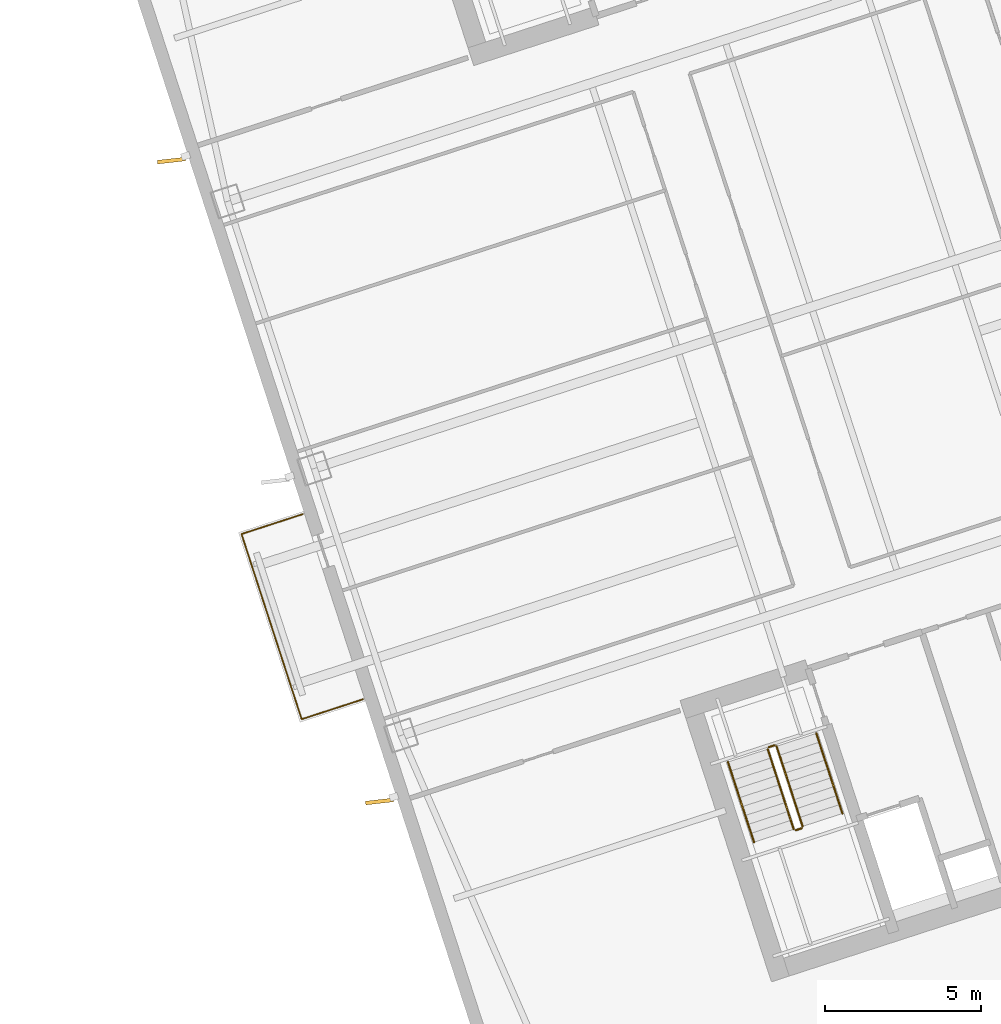
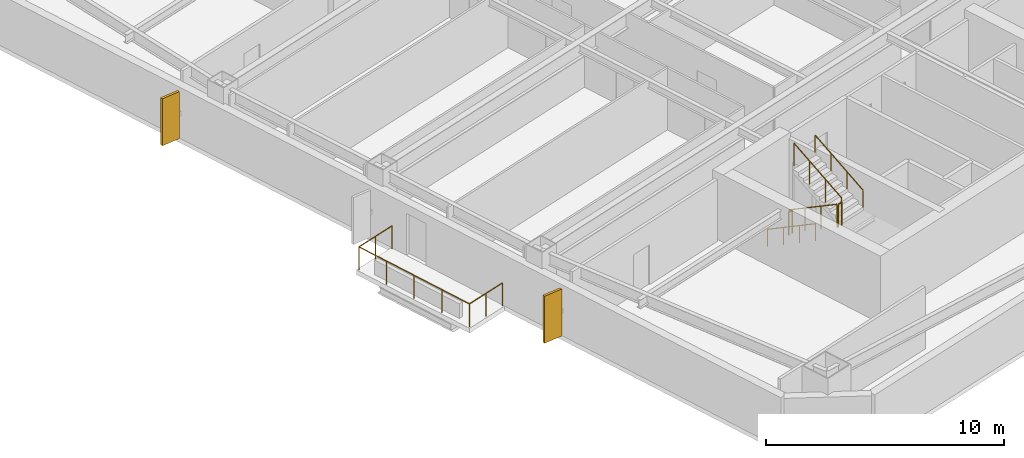
# One storey, part 15 of 16: 7 railings, 2 shading devices.
"""IFC4 building model written with IfcOpenShell, lengths in metres."""

from ifc_helpers import new_model, si_unit, direction, frame, origin, origin_2d, place, context, subcontext, project, spatial, rectangle, circle, extrude, material, layer, layer_set, type_object, element, save


model = new_model("IFC4")

# Units and contexts
model_context = context("Model", 3, precision=1e-05, world=origin(), true_north=direction((0.0, 1.0)))
body_context = subcontext(model_context, "Body", "Model", "MODEL_VIEW")
ifc_project = project(units=[si_unit("LENGTHUNIT", "METRE"), si_unit("AREAUNIT", "SQUARE_METRE"), si_unit("VOLUMEUNIT", "CUBIC_METRE"), si_unit("PLANEANGLEUNIT", "RADIAN"), si_unit("MASSUNIT", "GRAM", prefix="KILO")], contexts=[model_context])

# Site, building, storey
site_placement = place(None, origin())
site = spatial("IfcSite", under=ifc_project, at=site_placement, CompositionType="ELEMENT")
building_placement = place(site_placement, origin())
building = spatial("IfcBuilding", under=site, at=building_placement, Name="Qiaolan Cultural Towers", CompositionType="ELEMENT")
storey_placement = place(building_placement, frame((0.0, 0.0, 110.39990234375)))
storey = spatial("IfcBuildingStorey", under=building, at=storey_placement, Name="L28", CompositionType="ELEMENT", Elevation=110.39990234375)

# Railings
ifc_material_1 = material(Name="Laminated SentryGlas & Stainless Steel S31608 Balustrade", Category="steel")
railing_type_1 = type_object("IfcRailingType", Name="GRD-TERR-1200", PredefinedType="BALUSTRADE", material=ifc_material_1)
railing_1_placement = place(storey_placement, frame((75.6328125, 21.4248046875, 0.0)))
element("IfcRailing", 1, at=railing_1_placement, inside=storey, type_object=railing_type_1, Name="L28 T2 Tree Balcony Guardrail W", PredefinedType="BALUSTRADE", context=body_context, shape_type="SweptSolid", body=[
    extrude(circle(Radius=0.02392578125, at=origin_2d()), frame((0.0, 0.0, 1.17578125), z_axis=(-0.951061799618, -0.309000733507, 0.0), x_axis=(0.309000733507, -0.951061799618, 0.0)), (0.0, 0.0, 1.0), 2.070068359375),
    extrude(circle(Radius=0.02392578125, at=origin_2d()), frame((-1.96875, -0.6396484375, 1.17578125), z_axis=(-0.30901175762, 0.951058217804, 0.0), x_axis=(-0.951058217804, -0.30901175762, 0.0)), (0.0, 0.0, 1.0), 6.239990234375),
    extrude(circle(Radius=0.02392578125, at=origin_2d()), frame((-3.89697265625, 5.294921875, 1.17578125), z_axis=(0.951061799618, 0.309000733507, 0.0), x_axis=(-0.309000733507, 0.951061799618, 0.0)), (0.0, 0.0, 1.0), 2.070068359375),
    extrude(circle(Radius=0.02099609375, at=origin_2d()), origin(), (0.0, 0.0, 1.0), 1.15185546875),
    extrude(circle(Radius=0.02099609375, at=origin_2d()), frame((-0.984375, -0.31982421875, 0.0)), (0.0, 0.0, 1.0), 1.15185546875),
    extrude(circle(Radius=0.02099609375, at=origin_2d()), frame((-1.96875, -0.6396484375, 0.0)), (0.0, 0.0, 1.0), 1.15185546875),
    extrude(circle(Radius=0.02099609375, at=origin_2d()), frame((-2.45068359375, 0.843994140625, 0.0)), (0.0, 0.0, 1.0), 1.15185546875),
    extrude(circle(Radius=0.02099609375, at=origin_2d()), frame((-2.932861328125, 2.32763671875, 0.0)), (0.0, 0.0, 1.0), 1.15185546875),
    extrude(circle(Radius=0.02099609375, at=origin_2d()), frame((-3.4150390625, 3.811279296875, 0.0)), (0.0, 0.0, 1.0), 1.15185546875),
    extrude(circle(Radius=0.02099609375, at=origin_2d()), frame((-3.89697265625, 5.294921875, 0.0)), (0.0, 0.0, 1.0), 1.15185546875),
    extrude(circle(Radius=0.02099609375, at=origin_2d()), frame((-2.91259765625, 5.61474609375, 0.0)), (0.0, 0.0, 1.0), 1.15185546875),
    extrude(circle(Radius=0.02099609375, at=origin_2d()), frame((-1.92822265625, 5.9345703125, 0.0)), (0.0, 0.0, 1.0), 1.15185546875),
])
ifc_material_2 = material(Name="Galvanized Painted Steel Stair Guardrail", Category="steel")
railing_type_2 = type_object("IfcRailingType", Name="RL-STAIR-GRD", PredefinedType="GUARDRAIL", material=ifc_material_2)
railing_2_placement = place(storey_placement, frame((88.60205078125, 19.82421875, 0.172607421875)))
element("IfcRailing", 2, at=railing_2_placement, inside=storey, type_object=railing_type_2, Name="L28 ST-E1 stair guard 1", PredefinedType="GUARDRAIL", context=body_context, shape_type="SweptSolid", body=[
    extrude(circle(Radius=0.02392578125, at=origin_2d()), frame((0.0, 0.0, 1.17578125), z_axis=(0.267925668498, -0.824471088726, 0.498460891159), x_axis=(0.951043371037, 0.309057448393, 0.0)), (0.0, 0.0, 1.0), 3.114501953125),
    extrude(circle(Radius=0.02099609375, at=origin_2d()), origin(), (0.0, 0.0, 1.0), 1.15185546875),
    extrude(circle(Radius=0.02099609375, at=origin_2d()), frame((0.278076171875, -0.85595703125, 0.517578125)), (0.0, 0.0, 1.0), 1.15185546875),
    extrude(circle(Radius=0.02099609375, at=origin_2d()), frame((0.556396484375, -1.7119140625, 1.034912109375)), (0.0, 0.0, 1.0), 1.15185546875),
    extrude(circle(Radius=0.02099609375, at=origin_2d()), frame((0.83447265625, -2.56787109375, 1.552490234375)), (0.0, 0.0, 1.0), 1.15185546875),
])
railing_3_placement = place(storey_placement, frame((89.49951171875, 17.224365234375, 1.72509765625)))
element("IfcRailing", 3, at=railing_3_placement, inside=storey, type_object=railing_type_2, Name="L28 ST-E1 stair guard 2", PredefinedType="GUARDRAIL", context=body_context, shape_type="SweptSolid", body=[
    extrude(circle(Radius=0.02392578125, at=origin_2d()), frame((0.0, 0.0, 1.17578125), z_axis=(0.951096855055, 0.308892816854, 0.0), x_axis=(-0.308892816854, 0.951096855055, 0.0)), (0.0, 0.0, 1.0), 0.199951171875),
    extrude(circle(Radius=0.02099609375, at=origin_2d()), origin(), (0.0, 0.0, 1.0), 1.15185546875),
    extrude(circle(Radius=0.02099609375, at=origin_2d()), frame((0.190185546875, 0.061767578125, 0.0)), (0.0, 0.0, 1.0), 1.15185546875),
])
railing_4_placement = place(storey_placement, frame((89.721923828125, 17.34912109375, 1.897705078125)))
element("IfcRailing", 4, at=railing_4_placement, inside=storey, type_object=railing_type_2, Name="L28 ST-E1 stair guard 3", PredefinedType="GUARDRAIL", context=body_context, shape_type="SweptSolid", body=[
    extrude(circle(Radius=0.02392578125, at=origin_2d()), frame((0.0, 0.0, 1.17578125), z_axis=(-0.267925668498, 0.824471088726, 0.498460891159), x_axis=(-0.951043371037, -0.309057448393, 0.0)), (0.0, 0.0, 1.0), 3.114501953125),
    extrude(circle(Radius=0.02099609375, at=origin_2d()), origin(), (0.0, 0.0, 1.0), 1.15185546875),
    extrude(circle(Radius=0.02099609375, at=origin_2d()), frame((-0.278076171875, 0.85595703125, 0.517578125)), (0.0, 0.0, 1.0), 1.15185546875),
    extrude(circle(Radius=0.02099609375, at=origin_2d()), frame((-0.556396484375, 1.7119140625, 1.034912109375)), (0.0, 0.0, 1.0), 1.15185546875),
    extrude(circle(Radius=0.02099609375, at=origin_2d()), frame((-0.83447265625, 2.56787109375, 1.552490234375)), (0.0, 0.0, 1.0), 1.15185546875),
])
railing_5_placement = place(storey_placement, frame((88.63427734375, 19.88720703125, 0.0)))
element("IfcRailing", 5, at=railing_5_placement, inside=storey, type_object=railing_type_2, Name="L28 ST-E1 stair guard 4", PredefinedType="GUARDRAIL", context=body_context, shape_type="SweptSolid", body=[
    extrude(circle(Radius=0.02392578125, at=origin_2d()), frame((0.0, 0.0, 1.17578125), z_axis=(0.951096855055, 0.308892816854, 0.0), x_axis=(-0.308892816854, 0.951096855055, 0.0)), (0.0, 0.0, 1.0), 0.199951171875),
    extrude(circle(Radius=0.02099609375, at=origin_2d()), origin(), (0.0, 0.0, 1.0), 1.15185546875),
    extrude(circle(Radius=0.02099609375, at=origin_2d()), frame((0.190185546875, 0.061767578125, 0.0)), (0.0, 0.0, 1.0), 1.15185546875),
])
ifc_material_3 = material(Name="Stainless Steel S30408 Tubular Handrail", Category="steel")
railing_type_3 = type_object("IfcRailingType", Name="RL-STAIR-HR", PredefinedType="HANDRAIL", material=ifc_material_3)
railing_6_placement = place(storey_placement, frame((87.32763671875, 19.41015625, 0.172607421875)))
element("IfcRailing", 6, at=railing_6_placement, inside=storey, type_object=railing_type_3, Name="L28 ST-E1 stair handrail 1", PredefinedType="HANDRAIL", context=body_context, shape_type="SweptSolid", body=[
    extrude(circle(Radius=0.02392578125, at=origin_2d()), frame((0.0, 0.0, 0.8759765625), z_axis=(0.267925668498, -0.824471088726, 0.498460891159), x_axis=(0.951043371037, 0.309057448393, 0.0)), (0.0, 0.0, 1.0), 3.114501953125),
    extrude(circle(Radius=0.02099609375, at=origin_2d()), origin(), (0.0, 0.0, 1.0), 0.851806640625),
    extrude(circle(Radius=0.02099609375, at=origin_2d()), frame((0.278076171875, -0.85595703125, 0.517578125)), (0.0, 0.0, 1.0), 0.851806640625),
    extrude(circle(Radius=0.02099609375, at=origin_2d()), frame((0.556396484375, -1.7119140625, 1.034912109375)), (0.0, 0.0, 1.0), 0.851806640625),
    extrude(circle(Radius=0.02099609375, at=origin_2d()), frame((0.83447265625, -2.56787109375, 1.552490234375)), (0.0, 0.0, 1.0), 0.851806640625),
])
railing_7_placement = place(storey_placement, frame((90.996337890625, 17.76318359375, 1.897705078125)))
element("IfcRailing", 7, at=railing_7_placement, inside=storey, type_object=railing_type_3, Name="L28 ST-E1 stair handrail 2", PredefinedType="HANDRAIL", context=body_context, shape_type="SweptSolid", body=[
    extrude(circle(Radius=0.02392578125, at=origin_2d()), frame((0.0, 0.0, 0.8759765625), z_axis=(-0.267925668498, 0.824471088726, 0.498460891159), x_axis=(-0.951043371037, -0.309057448393, 0.0)), (0.0, 0.0, 1.0), 3.114501953125),
    extrude(circle(Radius=0.02099609375, at=origin_2d()), origin(), (0.0, 0.0, 1.0), 0.851806640625),
    extrude(circle(Radius=0.02099609375, at=origin_2d()), frame((-0.278076171875, 0.85595703125, 0.517578125)), (0.0, 0.0, 1.0), 0.851806640625),
    extrude(circle(Radius=0.02099609375, at=origin_2d()), frame((-0.556396484375, 1.7119140625, 1.034912109375)), (0.0, 0.0, 1.0), 0.851806640625),
    extrude(circle(Radius=0.02099609375, at=origin_2d()), frame((-0.83447265625, 2.56787109375, 1.552490234375)), (0.0, 0.0, 1.0), 0.851806640625),
])

# Shading devices
ifc_material_4 = material(Name="Pierced Warm Terracotta Acoustic Fin", Category="masonry")
ifc_layer = layer(ifc_material_4, 0.1201171875)
ifc_layer_set = layer_set([ifc_layer], Name="Pierced Warm Terracotta Acoustic Fin")
shading_device_type = type_object("IfcShadingDeviceType", Name="SHD-FIN-PIERCED", PredefinedType="USERDEFINED", material=ifc_layer_set)
for number, where, z_axis, x_axis, name in (
    (8, (76.161376953125, 18.147705078125, 0.10009765625), (0.0, 0.0, 1.0), (0.993553402645, 0.113365056754, 0.0), "L28 T2 Expressive Precast Vertical Fin W1"),
    (9, (69.486572265625, 38.690673828125, 0.10009765625), (0.0, 0.0, 1.0), (0.993553402645, 0.113365056754, 0.0), "L28 T2 Expressive Precast Vertical Fin W3"),
):
    element("IfcShadingDevice", number, at=place(storey_placement, frame(where, z_axis=z_axis, x_axis=x_axis)), inside=storey, type_object=shading_device_type, Name=name, ObjectType="FIN", PredefinedType="USERDEFINED", context=body_context, shape_type="SweptSolid", body=[
        extrude(rectangle(XDim=0.89990234375, YDim=0.1201171875, at=origin_2d()), origin(), (0.0, 0.0, 1.0), 2.409912109375),
    ])

save(model, "model.ifc")
